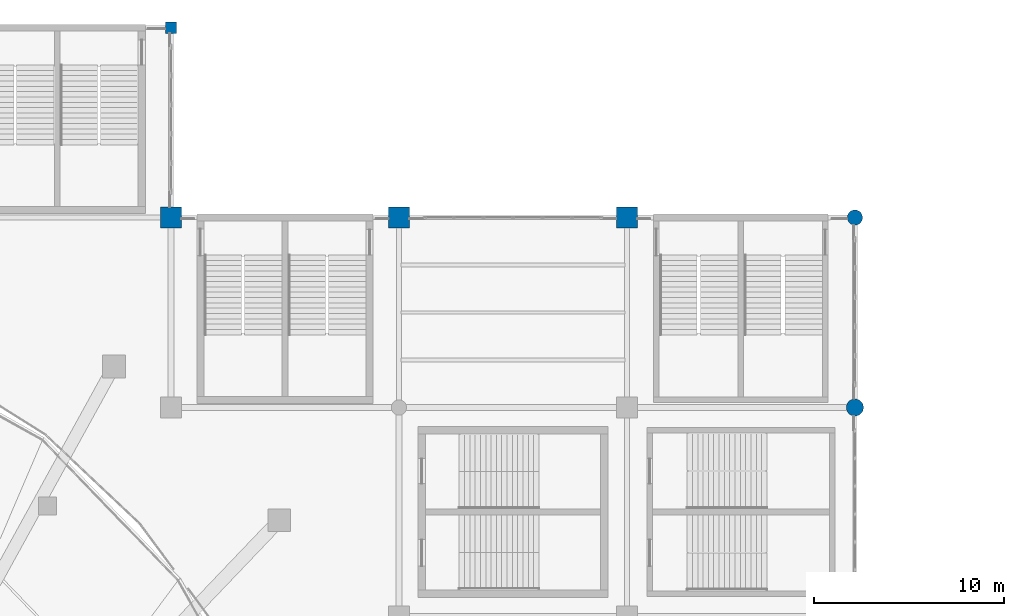
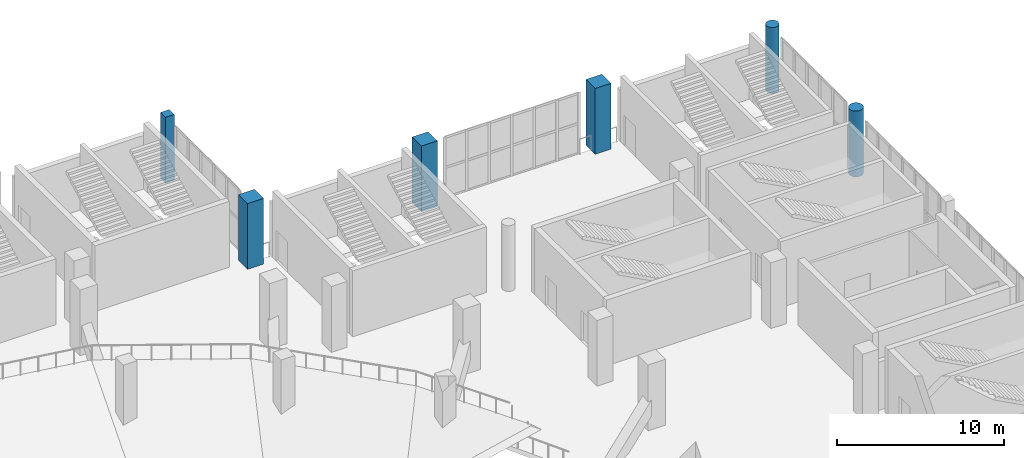
# One storey, part 13 of 136: 6 columns.
"""IFC4 building model written with IfcOpenShell, lengths in metres."""

from ifc_helpers import new_model, si_unit, direction, frame, origin, origin_2d, place, context, subcontext, project, spatial, rectangle, circle, extrude, material, material_profile, profile_set, type_object, element, save


model = new_model("IFC4")

# Units and contexts
model_context = context("Model", 3, precision=1e-05, world=origin(), true_north=direction((0.0, 1.0)))
body_context = subcontext(model_context, "Body", "Model", "MODEL_VIEW")
ifc_project = project(units=[si_unit("LENGTHUNIT", "METRE"), si_unit("AREAUNIT", "SQUARE_METRE"), si_unit("VOLUMEUNIT", "CUBIC_METRE"), si_unit("PLANEANGLEUNIT", "RADIAN"), si_unit("MASSUNIT", "GRAM", prefix="KILO")], contexts=[model_context])

# Site, building, storey
site_placement = place(None, origin())
site = spatial("IfcSite", under=ifc_project, at=site_placement, CompositionType="ELEMENT")
building_placement = place(site_placement, origin())
building = spatial("IfcBuilding", under=site, at=building_placement, Name="Brinegate Civic Arena", CompositionType="ELEMENT")
storey_placement = place(building_placement, frame((0.0, 0.0, 5.39990234375)))
storey = spatial("IfcBuildingStorey", under=building, at=storey_placement, Name="L01", CompositionType="ELEMENT", Elevation=5.39990234375)

# Columns
ifc_material = material(Name="Concrete C50/60", Category="concrete")
ifc_material_profile_1 = material_profile(ifc_material, rectangle(XDim=1.10009765625, YDim=1.10009765625, at=origin_2d()), Name="RC1100X1100")
ifc_profile_set_1 = profile_set([ifc_material_profile_1], Name="Concrete C50/60")
column_type_1 = type_object("IfcColumnType", Name="COL-CC02-1100", PredefinedType="COLUMN", material=ifc_profile_set_1)
for number, where, z_axis, x_axis, name in (
    (1, (132.0, 114.0, 0.0), (0.0, 0.0, 1.0), (1.0, 0.0, 0.0), "Column COL-L01-12-M"),
    (2, (144.0, 114.0, 0.0), (0.0, 0.0, 1.0), (1.0, 0.0, 0.0), "Column COL-L01-13-M"),
    (3, (156.0, 114.0, 0.0), (0.0, 0.0, 1.0), (1.0, 0.0, 0.0), "Column COL-L01-14-M"),
):
    element("IfcColumn", number, at=place(storey_placement, frame(where, z_axis=z_axis, x_axis=x_axis)), inside=storey, type_object=column_type_1, Name=name, PredefinedType="COLUMN", context=body_context, shape_type="SweptSolid", body=[
        extrude(rectangle(XDim=1.10009765625, YDim=1.10009765625, at=origin_2d()), origin(), (0.0, 0.0, 1.0), 4.800048828125),
    ])
ifc_material_profile_2 = material_profile(ifc_material, rectangle(XDim=0.60009765625, YDim=0.60009765625, at=origin_2d()), Name="RC600X600")
ifc_profile_set_2 = profile_set([ifc_material_profile_2], Name="Concrete C50/60")
column_type_2 = type_object("IfcColumnType", Name="COL-CC11-600", PredefinedType="COLUMN", material=ifc_profile_set_2)
column_1_placement = place(storey_placement, frame((132.0, 124.0, 0.0), z_axis=(0.0, 0.0, 1.0), x_axis=(1.0, 0.0, 0.0)))
element("IfcColumn", 4, at=column_1_placement, inside=storey, type_object=column_type_2, Name="Column COL-L01-12-N", PredefinedType="COLUMN", context=body_context, shape_type="SweptSolid", body=[
    extrude(rectangle(XDim=0.60009765625, YDim=0.60009765625, at=origin_2d()), origin(), (0.0, 0.0, 1.0), 4.800048828125),
])
ifc_material_profile_3 = material_profile(ifc_material, circle(Radius=0.449951171875, at=origin_2d()), Name="RCD900")
ifc_profile_set_3 = profile_set([ifc_material_profile_3], Name="Concrete C50/60")
column_type_3 = type_object("IfcColumnType", Name="COL-CC12-D900", PredefinedType="COLUMN", material=ifc_profile_set_3)
column_2_placement = place(storey_placement, frame((168.0, 104.0, 0.0), z_axis=(0.0, 0.0, 1.0), x_axis=(1.0, 0.0, 0.0)))
element("IfcColumn", 5, at=column_2_placement, inside=storey, type_object=column_type_3, Name="Column COL-L01-15-L", PredefinedType="COLUMN", context=body_context, shape_type="SweptSolid", body=[
    extrude(circle(Radius=0.449951171875, at=origin_2d()), origin(), (0.0, 0.0, 1.0), 4.800048828125),
])
ifc_material_profile_4 = material_profile(ifc_material, circle(Radius=0.39990234375, at=origin_2d()), Name="RCD800")
ifc_profile_set_4 = profile_set([ifc_material_profile_4], Name="Concrete C50/60")
column_type_4 = type_object("IfcColumnType", Name="COL-CC13-D800", PredefinedType="COLUMN", material=ifc_profile_set_4)
column_3_placement = place(storey_placement, frame((168.0, 114.0, 0.0), z_axis=(0.0, 0.0, 1.0), x_axis=(1.0, 0.0, 0.0)))
element("IfcColumn", 6, at=column_3_placement, inside=storey, type_object=column_type_4, Name="Column COL-L01-15-M", PredefinedType="COLUMN", context=body_context, shape_type="SweptSolid", body=[
    extrude(circle(Radius=0.39990234375, at=origin_2d()), origin(), (0.0, 0.0, 1.0), 4.800048828125),
])

save(model, "model.ifc")
